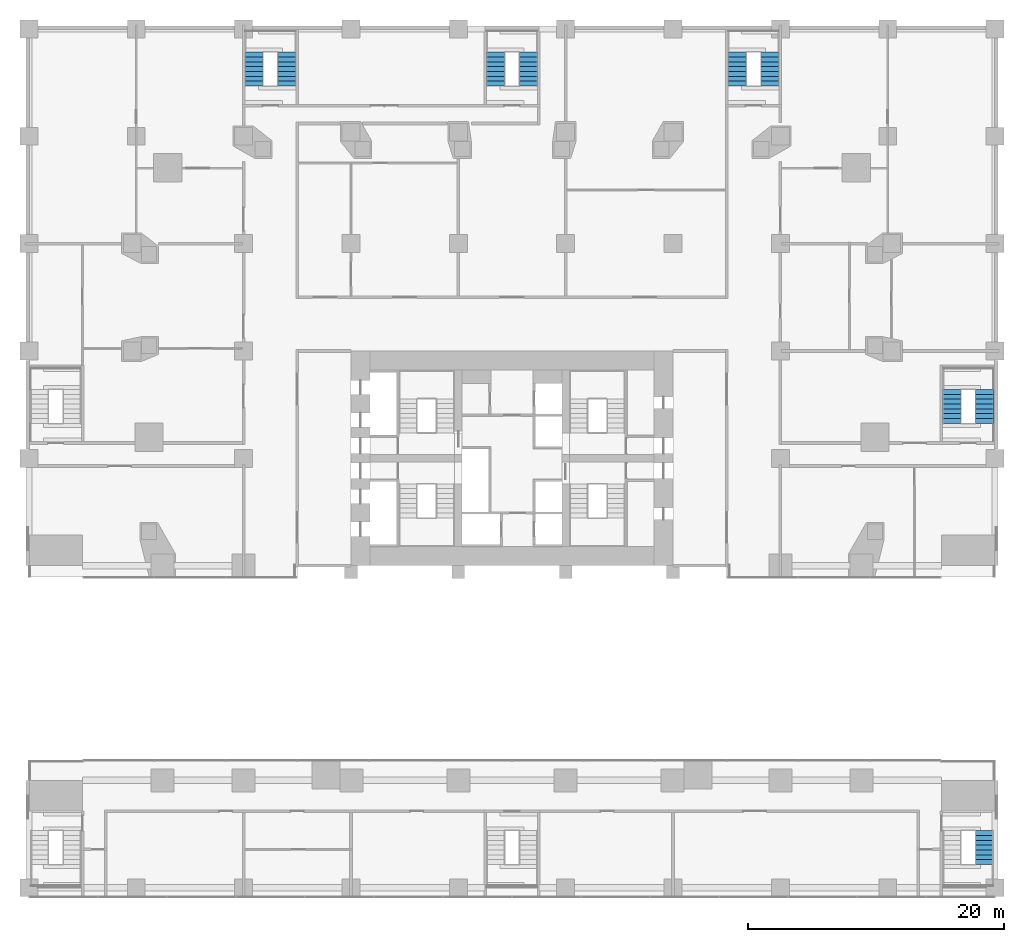
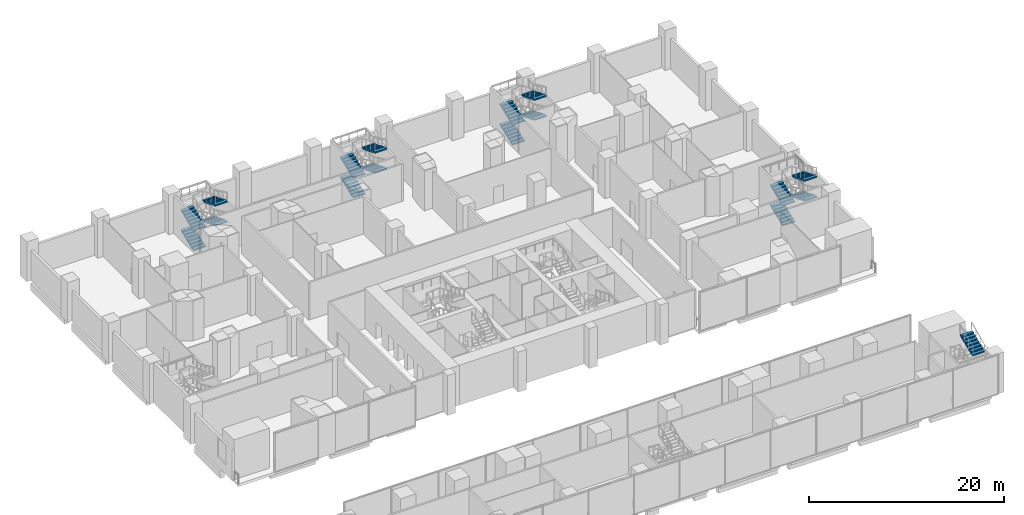
# One storey, part 18 of 24: 17 stair flights, 5 elements without a shape of their own.
"""IFC4 building model written with IfcOpenShell, lengths in metres."""

from ifc_helpers import new_model, si_unit, direction, frame, origin, place, context, subcontext, project, spatial, polyline, outline, extrude, material, type_object, element, aggregate, save


model = new_model("IFC4")

# Units and contexts
model_context = context("Model", 3, precision=1e-05, world=origin(), true_north=direction((0.0, 1.0)))
body_context = subcontext(model_context, "Body", "Model", "MODEL_VIEW")
ifc_project = project(units=[si_unit("LENGTHUNIT", "METRE"), si_unit("AREAUNIT", "SQUARE_METRE"), si_unit("VOLUMEUNIT", "CUBIC_METRE"), si_unit("PLANEANGLEUNIT", "RADIAN"), si_unit("MASSUNIT", "GRAM", prefix="KILO")], contexts=[model_context])

# Site, building, storey
site_placement = place(None, origin())
site = spatial("IfcSite", under=ifc_project, at=site_placement, CompositionType="ELEMENT")
building_placement = place(site_placement, origin())
building = spatial("IfcBuilding", under=site, at=building_placement, Name="Marenta Gate Hotel Tower", CompositionType="ELEMENT")
storey_placement = place(building_placement, frame((0.0, 0.0, 8.0)))
storey = spatial("IfcBuildingStorey", under=building, at=storey_placement, Name="L01", CompositionType="ELEMENT", Elevation=8.0)

# Stair, stair flight
ifc_material_1 = material(Name="Concrete C40", Category="concrete")
stair_type = type_object("IfcStairType", Name="Podium exit stair 1430 wide", PredefinedType="HALF_TURN_STAIR", material=ifc_material_1)
stair_1_placement = place(storey_placement, origin())
stair_1 = element("IfcStair", 1, at=stair_1_placement, inside=storey, type_object=stair_type, Name="Podium exit stair 2", PredefinedType="HALF_TURN_STAIR")
ifc_material_2 = material(Name="Concrete C40", Category="concrete")
stair_flight_type = type_object("IfcStairFlightType", Name="Podium stair flight 1430 riser 156.2 going 380", PredefinedType="STRAIGHT", material=ifc_material_2)
stair_flight_1_placement = place(storey_placement, frame((36.985107421875, -23.389892578125, 3.75), z_axis=(0.0, 0.0, 1.0), x_axis=(0.0, 1.0, 0.0)))
stair_flight_1 = element("IfcStairFlight", 2, at=stair_flight_1_placement, type_object=stair_flight_type, Name="PX2 flight 4", NumberOfRisers=8, NumberOfTreads=7, PredefinedType="STRAIGHT", RiserHeight=0.15625, TreadLength=0.38, context=body_context, shape_type="SweptSolid", body=[
    extrude(outline(polyline([(0.0, 0.0), (0.0, 0.15625), (0.3798828125, 0.15625), (0.3798828125, 0.3125), (0.760009765625, 0.3125), (0.760009765625, 0.46875), (1.139892578125, 0.46875), (1.139892578125, 0.625), (1.52001953125, 0.625), (1.52001953125, 0.78125), (1.89990234375, 0.78125), (1.89990234375, 0.9375), (2.280029296875, 0.9375), (2.280029296875, 1.09375), (2.659912109375, 1.09375), (2.659912109375, 1.25), (2.659912109375, 0.931640625), (0.394287109375, 0.0), (0.0, 0.0)])), frame((0.0, 0.71484375, 0.0), z_axis=(0.0, -1.0, 0.0), x_axis=(1.0, 0.0, 0.0)), (0.0, 0.0, 1.0), 1.429931640625),
])
aggregate(stair_1, [stair_flight_1])

# Stair, stair flights
stair_2_placement = place(storey_placement, origin())
stair_2 = element("IfcStair", 3, at=stair_2_placement, inside=storey, type_object=stair_type, Name="Podium exit stair 3", PredefinedType="HALF_TURN_STAIR")
stair_flight_2_placement = place(storey_placement, frame((-20.18505859375, 37.530029296875, 0.0), z_axis=(0.0, 0.0, 1.0), x_axis=(0.0, 1.0, 0.0)))
stair_flight_2 = element("IfcStairFlight", 4, at=stair_flight_2_placement, type_object=stair_flight_type, Name="PX3 flight 1", NumberOfRisers=8, NumberOfTreads=7, PredefinedType="STRAIGHT", RiserHeight=0.15625, TreadLength=0.38, context=body_context, shape_type="SweptSolid", body=[
    extrude(outline(polyline([(0.0, 0.0), (0.0, 0.15625), (0.3798828125, 0.15625), (0.3798828125, 0.3125), (0.760009765625, 0.3125), (0.760009765625, 0.46875), (1.139892578125, 0.46875), (1.139892578125, 0.625), (1.52001953125, 0.625), (1.52001953125, 0.78125), (1.89990234375, 0.78125), (1.89990234375, 0.9375), (2.280029296875, 0.9375), (2.280029296875, 1.09375), (2.659912109375, 1.09375), (2.659912109375, 1.25), (2.659912109375, 0.931640625), (0.394287109375, 0.0), (0.0, 0.0)])), frame((0.0, 0.71484375, 0.0), z_axis=(0.0, -1.0, 0.0), x_axis=(1.0, 0.0, 0.0)), (0.0, 0.0, 1.0), 1.429931640625),
])
stair_flight_3_placement = place(storey_placement, frame((-17.614990234375, 40.18994140625, 1.25), z_axis=(0.0, 0.0, 1.0), x_axis=(0.0, -1.0, 0.0)))
stair_flight_3 = element("IfcStairFlight", 5, at=stair_flight_3_placement, type_object=stair_flight_type, Name="PX3 flight 2", NumberOfRisers=8, NumberOfTreads=7, PredefinedType="STRAIGHT", RiserHeight=0.15625, TreadLength=0.38, context=body_context, shape_type="SweptSolid", body=[
    extrude(outline(polyline([(0.0, 0.0), (0.0, 0.15625), (0.3798828125, 0.15625), (0.3798828125, 0.3125), (0.760009765625, 0.3125), (0.760009765625, 0.46875), (1.139892578125, 0.46875), (1.139892578125, 0.625), (1.52001953125, 0.625), (1.52001953125, 0.78125), (1.89990234375, 0.78125), (1.89990234375, 0.9375), (2.280029296875, 0.9375), (2.280029296875, 1.09375), (2.659912109375, 1.09375), (2.659912109375, 1.25), (2.659912109375, 0.931640625), (0.394287109375, 0.0), (0.0, 0.0)])), frame((0.0, 0.71484375, 0.0), z_axis=(0.0, -1.0, 0.0), x_axis=(1.0, 0.0, 0.0)), (0.0, 0.0, 1.0), 1.429931640625),
])
stair_flight_4_placement = place(storey_placement, frame((-20.18505859375, 37.530029296875, 2.5), z_axis=(0.0, 0.0, 1.0), x_axis=(0.0, 1.0, 0.0)))
stair_flight_4 = element("IfcStairFlight", 6, at=stair_flight_4_placement, type_object=stair_flight_type, Name="PX3 flight 3", NumberOfRisers=8, NumberOfTreads=7, PredefinedType="STRAIGHT", RiserHeight=0.15625, TreadLength=0.38, context=body_context, shape_type="SweptSolid", body=[
    extrude(outline(polyline([(0.0, 0.0), (0.0, 0.15625), (0.3798828125, 0.15625), (0.3798828125, 0.3125), (0.760009765625, 0.3125), (0.760009765625, 0.46875), (1.139892578125, 0.46875), (1.139892578125, 0.625), (1.52001953125, 0.625), (1.52001953125, 0.78125), (1.89990234375, 0.78125), (1.89990234375, 0.9375), (2.280029296875, 0.9375), (2.280029296875, 1.09375), (2.659912109375, 1.09375), (2.659912109375, 1.25), (2.659912109375, 0.931640625), (0.394287109375, 0.0), (0.0, 0.0)])), frame((0.0, 0.71484375, 0.0), z_axis=(0.0, -1.0, 0.0), x_axis=(1.0, 0.0, 0.0)), (0.0, 0.0, 1.0), 1.429931640625),
])
stair_flight_5_placement = place(storey_placement, frame((-17.614990234375, 40.18994140625, 3.75), z_axis=(0.0, 0.0, 1.0), x_axis=(0.0, -1.0, 0.0)))
stair_flight_5 = element("IfcStairFlight", 7, at=stair_flight_5_placement, type_object=stair_flight_type, Name="PX3 flight 4", NumberOfRisers=8, NumberOfTreads=7, PredefinedType="STRAIGHT", RiserHeight=0.15625, TreadLength=0.38, context=body_context, shape_type="SweptSolid", body=[
    extrude(outline(polyline([(0.0, 0.0), (0.0, 0.15625), (0.3798828125, 0.15625), (0.3798828125, 0.3125), (0.760009765625, 0.3125), (0.760009765625, 0.46875), (1.139892578125, 0.46875), (1.139892578125, 0.625), (1.52001953125, 0.625), (1.52001953125, 0.78125), (1.89990234375, 0.78125), (1.89990234375, 0.9375), (2.280029296875, 0.9375), (2.280029296875, 1.09375), (2.659912109375, 1.09375), (2.659912109375, 1.25), (2.659912109375, 0.931640625), (0.394287109375, 0.0), (0.0, 0.0)])), frame((0.0, 0.71484375, 0.0), z_axis=(0.0, -1.0, 0.0), x_axis=(1.0, 0.0, 0.0)), (0.0, 0.0, 1.0), 1.429931640625),
])
aggregate(stair_2, [stair_flight_2, stair_flight_3, stair_flight_4, stair_flight_5])

stair_3_placement = place(storey_placement, origin())
stair_3 = element("IfcStair", 8, at=stair_3_placement, inside=storey, type_object=stair_type, Name="Podium exit stair 4", PredefinedType="HALF_TURN_STAIR")
stair_flight_6_placement = place(storey_placement, frame((17.614990234375, 37.530029296875, 0.0), z_axis=(0.0, 0.0, 1.0), x_axis=(0.0, 1.0, 0.0)))
stair_flight_6 = element("IfcStairFlight", 9, at=stair_flight_6_placement, type_object=stair_flight_type, Name="PX4 flight 1", NumberOfRisers=8, NumberOfTreads=7, PredefinedType="STRAIGHT", RiserHeight=0.15625, TreadLength=0.38, context=body_context, shape_type="SweptSolid", body=[
    extrude(outline(polyline([(0.0, 0.0), (0.0, 0.15625), (0.3798828125, 0.15625), (0.3798828125, 0.3125), (0.760009765625, 0.3125), (0.760009765625, 0.46875), (1.139892578125, 0.46875), (1.139892578125, 0.625), (1.52001953125, 0.625), (1.52001953125, 0.78125), (1.89990234375, 0.78125), (1.89990234375, 0.9375), (2.280029296875, 0.9375), (2.280029296875, 1.09375), (2.659912109375, 1.09375), (2.659912109375, 1.25), (2.659912109375, 0.931640625), (0.394287109375, 0.0), (0.0, 0.0)])), frame((0.0, 0.71484375, 0.0), z_axis=(0.0, -1.0, 0.0), x_axis=(1.0, 0.0, 0.0)), (0.0, 0.0, 1.0), 1.429931640625),
])
stair_flight_7_placement = place(storey_placement, frame((20.18505859375, 40.18994140625, 1.25), z_axis=(0.0, 0.0, 1.0), x_axis=(0.0, -1.0, 0.0)))
stair_flight_7 = element("IfcStairFlight", 10, at=stair_flight_7_placement, type_object=stair_flight_type, Name="PX4 flight 2", NumberOfRisers=8, NumberOfTreads=7, PredefinedType="STRAIGHT", RiserHeight=0.15625, TreadLength=0.38, context=body_context, shape_type="SweptSolid", body=[
    extrude(outline(polyline([(0.0, 0.0), (0.0, 0.15625), (0.3798828125, 0.15625), (0.3798828125, 0.3125), (0.760009765625, 0.3125), (0.760009765625, 0.46875), (1.139892578125, 0.46875), (1.139892578125, 0.625), (1.52001953125, 0.625), (1.52001953125, 0.78125), (1.89990234375, 0.78125), (1.89990234375, 0.9375), (2.280029296875, 0.9375), (2.280029296875, 1.09375), (2.659912109375, 1.09375), (2.659912109375, 1.25), (2.659912109375, 0.931640625), (0.394287109375, 0.0), (0.0, 0.0)])), frame((0.0, 0.71484375, 0.0), z_axis=(0.0, -1.0, 0.0), x_axis=(1.0, 0.0, 0.0)), (0.0, 0.0, 1.0), 1.429931640625),
])
stair_flight_8_placement = place(storey_placement, frame((17.614990234375, 37.530029296875, 2.5), z_axis=(0.0, 0.0, 1.0), x_axis=(0.0, 1.0, 0.0)))
stair_flight_8 = element("IfcStairFlight", 11, at=stair_flight_8_placement, type_object=stair_flight_type, Name="PX4 flight 3", NumberOfRisers=8, NumberOfTreads=7, PredefinedType="STRAIGHT", RiserHeight=0.15625, TreadLength=0.38, context=body_context, shape_type="SweptSolid", body=[
    extrude(outline(polyline([(0.0, 0.0), (0.0, 0.15625), (0.3798828125, 0.15625), (0.3798828125, 0.3125), (0.760009765625, 0.3125), (0.760009765625, 0.46875), (1.139892578125, 0.46875), (1.139892578125, 0.625), (1.52001953125, 0.625), (1.52001953125, 0.78125), (1.89990234375, 0.78125), (1.89990234375, 0.9375), (2.280029296875, 0.9375), (2.280029296875, 1.09375), (2.659912109375, 1.09375), (2.659912109375, 1.25), (2.659912109375, 0.931640625), (0.394287109375, 0.0), (0.0, 0.0)])), frame((0.0, 0.71484375, 0.0), z_axis=(0.0, -1.0, 0.0), x_axis=(1.0, 0.0, 0.0)), (0.0, 0.0, 1.0), 1.429931640625),
])
stair_flight_9_placement = place(storey_placement, frame((20.18505859375, 40.18994140625, 3.75), z_axis=(0.0, 0.0, 1.0), x_axis=(0.0, -1.0, 0.0)))
stair_flight_9 = element("IfcStairFlight", 12, at=stair_flight_9_placement, type_object=stair_flight_type, Name="PX4 flight 4", NumberOfRisers=8, NumberOfTreads=7, PredefinedType="STRAIGHT", RiserHeight=0.15625, TreadLength=0.38, context=body_context, shape_type="SweptSolid", body=[
    extrude(outline(polyline([(0.0, 0.0), (0.0, 0.15625), (0.3798828125, 0.15625), (0.3798828125, 0.3125), (0.760009765625, 0.3125), (0.760009765625, 0.46875), (1.139892578125, 0.46875), (1.139892578125, 0.625), (1.52001953125, 0.625), (1.52001953125, 0.78125), (1.89990234375, 0.78125), (1.89990234375, 0.9375), (2.280029296875, 0.9375), (2.280029296875, 1.09375), (2.659912109375, 1.09375), (2.659912109375, 1.25), (2.659912109375, 0.931640625), (0.394287109375, 0.0), (0.0, 0.0)])), frame((0.0, 0.71484375, 0.0), z_axis=(0.0, -1.0, 0.0), x_axis=(1.0, 0.0, 0.0)), (0.0, 0.0, 1.0), 1.429931640625),
])
aggregate(stair_3, [stair_flight_6, stair_flight_7, stair_flight_8, stair_flight_9])

stair_4_placement = place(storey_placement, origin())
stair_4 = element("IfcStair", 13, at=stair_4_placement, inside=storey, type_object=stair_type, Name="Podium exit stair 7", PredefinedType="HALF_TURN_STAIR")
stair_flight_10_placement = place(storey_placement, frame((34.4150390625, 11.1298828125, 0.0), z_axis=(0.0, 0.0, 1.0), x_axis=(0.0, 1.0, 0.0)))
stair_flight_10 = element("IfcStairFlight", 14, at=stair_flight_10_placement, type_object=stair_flight_type, Name="PX7 flight 1", NumberOfRisers=8, NumberOfTreads=7, PredefinedType="STRAIGHT", RiserHeight=0.15625, TreadLength=0.38, context=body_context, shape_type="SweptSolid", body=[
    extrude(outline(polyline([(0.0, 0.0), (0.0, 0.15625), (0.3798828125, 0.15625), (0.3798828125, 0.3125), (0.760009765625, 0.3125), (0.760009765625, 0.46875), (1.139892578125, 0.46875), (1.139892578125, 0.625), (1.52001953125, 0.625), (1.52001953125, 0.78125), (1.89990234375, 0.78125), (1.89990234375, 0.9375), (2.280029296875, 0.9375), (2.280029296875, 1.09375), (2.659912109375, 1.09375), (2.659912109375, 1.25), (2.659912109375, 0.931640625), (0.394287109375, 0.0), (0.0, 0.0)])), frame((0.0, 0.71484375, 0.0), z_axis=(0.0, -1.0, 0.0), x_axis=(1.0, 0.0, 0.0)), (0.0, 0.0, 1.0), 1.429931640625),
])
stair_flight_11_placement = place(storey_placement, frame((36.985107421875, 13.7900390625, 1.25), z_axis=(0.0, 0.0, 1.0), x_axis=(0.0, -1.0, 0.0)))
stair_flight_11 = element("IfcStairFlight", 15, at=stair_flight_11_placement, type_object=stair_flight_type, Name="PX7 flight 2", NumberOfRisers=8, NumberOfTreads=7, PredefinedType="STRAIGHT", RiserHeight=0.15625, TreadLength=0.38, context=body_context, shape_type="SweptSolid", body=[
    extrude(outline(polyline([(0.0, 0.0), (0.0, 0.15625), (0.3798828125, 0.15625), (0.3798828125, 0.3125), (0.760009765625, 0.3125), (0.760009765625, 0.46875), (1.139892578125, 0.46875), (1.139892578125, 0.625), (1.52001953125, 0.625), (1.52001953125, 0.78125), (1.89990234375, 0.78125), (1.89990234375, 0.9375), (2.280029296875, 0.9375), (2.280029296875, 1.09375), (2.659912109375, 1.09375), (2.659912109375, 1.25), (2.659912109375, 0.931640625), (0.394287109375, 0.0), (0.0, 0.0)])), frame((0.0, 0.71484375, 0.0), z_axis=(0.0, -1.0, 0.0), x_axis=(1.0, 0.0, 0.0)), (0.0, 0.0, 1.0), 1.429931640625),
])
stair_flight_12_placement = place(storey_placement, frame((34.4150390625, 11.1298828125, 2.5), z_axis=(0.0, 0.0, 1.0), x_axis=(0.0, 1.0, 0.0)))
stair_flight_12 = element("IfcStairFlight", 16, at=stair_flight_12_placement, type_object=stair_flight_type, Name="PX7 flight 3", NumberOfRisers=8, NumberOfTreads=7, PredefinedType="STRAIGHT", RiserHeight=0.15625, TreadLength=0.38, context=body_context, shape_type="SweptSolid", body=[
    extrude(outline(polyline([(0.0, 0.0), (0.0, 0.15625), (0.3798828125, 0.15625), (0.3798828125, 0.3125), (0.760009765625, 0.3125), (0.760009765625, 0.46875), (1.139892578125, 0.46875), (1.139892578125, 0.625), (1.52001953125, 0.625), (1.52001953125, 0.78125), (1.89990234375, 0.78125), (1.89990234375, 0.9375), (2.280029296875, 0.9375), (2.280029296875, 1.09375), (2.659912109375, 1.09375), (2.659912109375, 1.25), (2.659912109375, 0.931640625), (0.394287109375, 0.0), (0.0, 0.0)])), frame((0.0, 0.71484375, 0.0), z_axis=(0.0, -1.0, 0.0), x_axis=(1.0, 0.0, 0.0)), (0.0, 0.0, 1.0), 1.429931640625),
])
stair_flight_13_placement = place(storey_placement, frame((36.985107421875, 13.7900390625, 3.75), z_axis=(0.0, 0.0, 1.0), x_axis=(0.0, -1.0, 0.0)))
stair_flight_13 = element("IfcStairFlight", 17, at=stair_flight_13_placement, type_object=stair_flight_type, Name="PX7 flight 4", NumberOfRisers=8, NumberOfTreads=7, PredefinedType="STRAIGHT", RiserHeight=0.15625, TreadLength=0.38, context=body_context, shape_type="SweptSolid", body=[
    extrude(outline(polyline([(0.0, 0.0), (0.0, 0.15625), (0.3798828125, 0.15625), (0.3798828125, 0.3125), (0.760009765625, 0.3125), (0.760009765625, 0.46875), (1.139892578125, 0.46875), (1.139892578125, 0.625), (1.52001953125, 0.625), (1.52001953125, 0.78125), (1.89990234375, 0.78125), (1.89990234375, 0.9375), (2.280029296875, 0.9375), (2.280029296875, 1.09375), (2.659912109375, 1.09375), (2.659912109375, 1.25), (2.659912109375, 0.931640625), (0.394287109375, 0.0), (0.0, 0.0)])), frame((0.0, 0.71484375, 0.0), z_axis=(0.0, -1.0, 0.0), x_axis=(1.0, 0.0, 0.0)), (0.0, 0.0, 1.0), 1.429931640625),
])
aggregate(stair_4, [stair_flight_10, stair_flight_11, stair_flight_12, stair_flight_13])

stair_5_placement = place(storey_placement, origin())
stair_5 = element("IfcStair", 18, at=stair_5_placement, inside=storey, type_object=stair_type, Name="Podium exit stair 8", PredefinedType="HALF_TURN_STAIR")
stair_flight_14_placement = place(storey_placement, frame((-1.284912109375, 37.530029296875, 0.0), z_axis=(0.0, 0.0, 1.0), x_axis=(0.0, 1.0, 0.0)))
stair_flight_14 = element("IfcStairFlight", 19, at=stair_flight_14_placement, type_object=stair_flight_type, Name="PX8 flight 1", NumberOfRisers=8, NumberOfTreads=7, PredefinedType="STRAIGHT", RiserHeight=0.15625, TreadLength=0.38, context=body_context, shape_type="SweptSolid", body=[
    extrude(outline(polyline([(0.0, 0.0), (0.0, 0.15625), (0.3798828125, 0.15625), (0.3798828125, 0.3125), (0.760009765625, 0.3125), (0.760009765625, 0.46875), (1.139892578125, 0.46875), (1.139892578125, 0.625), (1.52001953125, 0.625), (1.52001953125, 0.78125), (1.89990234375, 0.78125), (1.89990234375, 0.9375), (2.280029296875, 0.9375), (2.280029296875, 1.09375), (2.659912109375, 1.09375), (2.659912109375, 1.25), (2.659912109375, 0.931640625), (0.394287109375, 0.0), (0.0, 0.0)])), frame((0.0, 0.71484375, 0.0), z_axis=(0.0, -1.0, 0.0), x_axis=(1.0, 0.0, 0.0)), (0.0, 0.0, 1.0), 1.429931640625),
])
stair_flight_15_placement = place(storey_placement, frame((1.284912109375, 40.18994140625, 1.25), z_axis=(0.0, 0.0, 1.0), x_axis=(0.0, -1.0, 0.0)))
stair_flight_15 = element("IfcStairFlight", 20, at=stair_flight_15_placement, type_object=stair_flight_type, Name="PX8 flight 2", NumberOfRisers=8, NumberOfTreads=7, PredefinedType="STRAIGHT", RiserHeight=0.15625, TreadLength=0.38, context=body_context, shape_type="SweptSolid", body=[
    extrude(outline(polyline([(0.0, 0.0), (0.0, 0.15625), (0.3798828125, 0.15625), (0.3798828125, 0.3125), (0.760009765625, 0.3125), (0.760009765625, 0.46875), (1.139892578125, 0.46875), (1.139892578125, 0.625), (1.52001953125, 0.625), (1.52001953125, 0.78125), (1.89990234375, 0.78125), (1.89990234375, 0.9375), (2.280029296875, 0.9375), (2.280029296875, 1.09375), (2.659912109375, 1.09375), (2.659912109375, 1.25), (2.659912109375, 0.931640625), (0.394287109375, 0.0), (0.0, 0.0)])), frame((0.0, 0.71484375, 0.0), z_axis=(0.0, -1.0, 0.0), x_axis=(1.0, 0.0, 0.0)), (0.0, 0.0, 1.0), 1.429931640625),
])
stair_flight_16_placement = place(storey_placement, frame((-1.284912109375, 37.530029296875, 2.5), z_axis=(0.0, 0.0, 1.0), x_axis=(0.0, 1.0, 0.0)))
stair_flight_16 = element("IfcStairFlight", 21, at=stair_flight_16_placement, type_object=stair_flight_type, Name="PX8 flight 3", NumberOfRisers=8, NumberOfTreads=7, PredefinedType="STRAIGHT", RiserHeight=0.15625, TreadLength=0.38, context=body_context, shape_type="SweptSolid", body=[
    extrude(outline(polyline([(0.0, 0.0), (0.0, 0.15625), (0.3798828125, 0.15625), (0.3798828125, 0.3125), (0.760009765625, 0.3125), (0.760009765625, 0.46875), (1.139892578125, 0.46875), (1.139892578125, 0.625), (1.52001953125, 0.625), (1.52001953125, 0.78125), (1.89990234375, 0.78125), (1.89990234375, 0.9375), (2.280029296875, 0.9375), (2.280029296875, 1.09375), (2.659912109375, 1.09375), (2.659912109375, 1.25), (2.659912109375, 0.931640625), (0.394287109375, 0.0), (0.0, 0.0)])), frame((0.0, 0.71484375, 0.0), z_axis=(0.0, -1.0, 0.0), x_axis=(1.0, 0.0, 0.0)), (0.0, 0.0, 1.0), 1.429931640625),
])
stair_flight_17_placement = place(storey_placement, frame((1.284912109375, 40.18994140625, 3.75), z_axis=(0.0, 0.0, 1.0), x_axis=(0.0, -1.0, 0.0)))
stair_flight_17 = element("IfcStairFlight", 22, at=stair_flight_17_placement, type_object=stair_flight_type, Name="PX8 flight 4", NumberOfRisers=8, NumberOfTreads=7, PredefinedType="STRAIGHT", RiserHeight=0.15625, TreadLength=0.38, context=body_context, shape_type="SweptSolid", body=[
    extrude(outline(polyline([(0.0, 0.0), (0.0, 0.15625), (0.3798828125, 0.15625), (0.3798828125, 0.3125), (0.760009765625, 0.3125), (0.760009765625, 0.46875), (1.139892578125, 0.46875), (1.139892578125, 0.625), (1.52001953125, 0.625), (1.52001953125, 0.78125), (1.89990234375, 0.78125), (1.89990234375, 0.9375), (2.280029296875, 0.9375), (2.280029296875, 1.09375), (2.659912109375, 1.09375), (2.659912109375, 1.25), (2.659912109375, 0.931640625), (0.394287109375, 0.0), (0.0, 0.0)])), frame((0.0, 0.71484375, 0.0), z_axis=(0.0, -1.0, 0.0), x_axis=(1.0, 0.0, 0.0)), (0.0, 0.0, 1.0), 1.429931640625),
])
aggregate(stair_5, [stair_flight_14, stair_flight_15, stair_flight_16, stair_flight_17])

save(model, "model.ifc")
